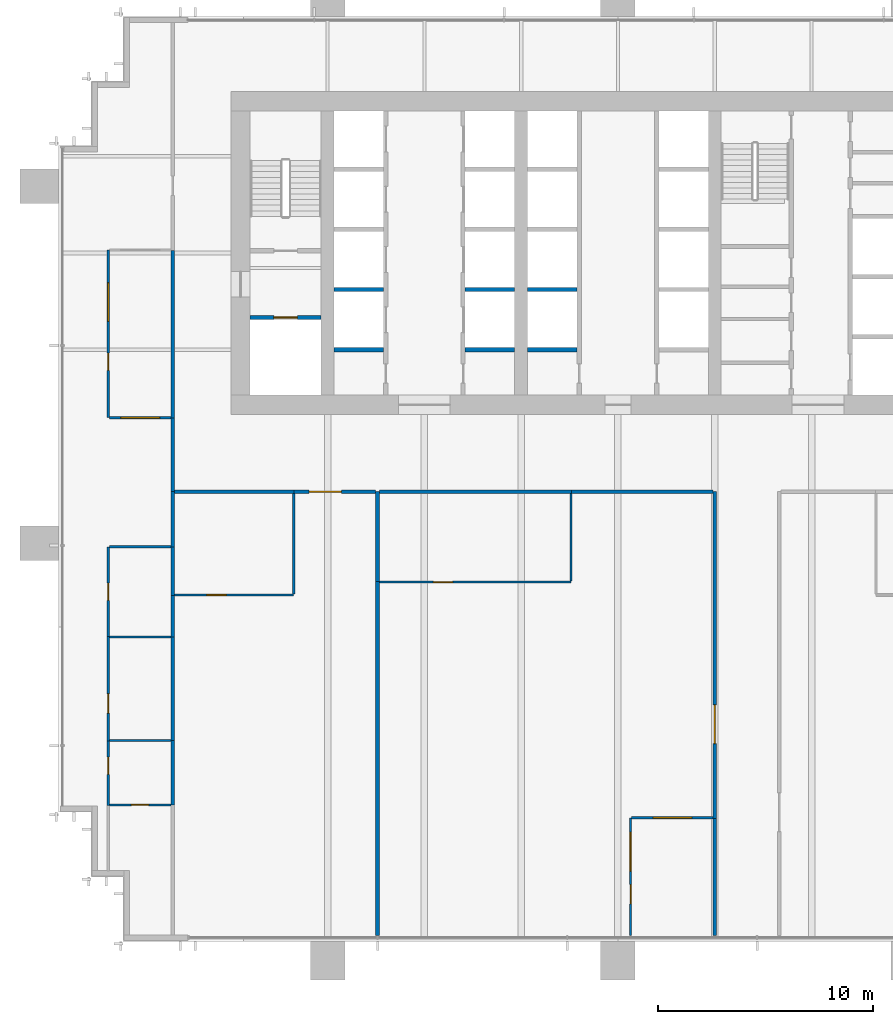
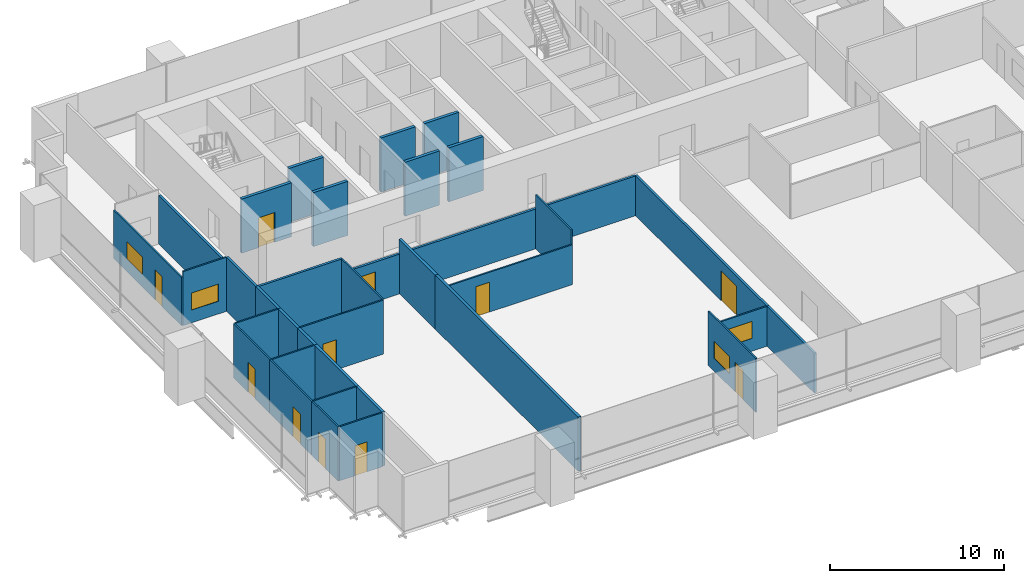
# One storey, part 12 of 17: 37 walls, 11 doors, 4 windows, 15 openings.
"""IFC4 building model written with IfcOpenShell, lengths in metres."""

from ifc_helpers import new_model, si_unit, direction, frame, frame_2d, origin, place, context, subcontext, project, spatial, rectangle, extrude, material, layer, layer_set, type_object, element, fill, save


model = new_model("IFC4")

# Units and contexts
model_context = context("Model", 3, precision=1e-05, world=origin(), true_north=direction((0.0, 1.0)))
body_context = subcontext(model_context, "Body", "Model", "MODEL_VIEW")
ifc_project = project(units=[si_unit("LENGTHUNIT", "METRE"), si_unit("AREAUNIT", "SQUARE_METRE"), si_unit("VOLUMEUNIT", "CUBIC_METRE"), si_unit("PLANEANGLEUNIT", "RADIAN"), si_unit("MASSUNIT", "GRAM", prefix="KILO")], contexts=[model_context])

# Site, building, storey
site_placement = place(None, origin())
site = spatial("IfcSite", under=ifc_project, at=site_placement, CompositionType="ELEMENT")
building_placement = place(site_placement, origin())
building = spatial("IfcBuilding", under=site, at=building_placement, Name="Rattan Terrace Tower", CompositionType="ELEMENT")
storey_placement = place(building_placement, frame((0.0, 0.0, 95.699951171875)))
storey = spatial("IfcBuildingStorey", under=building, at=storey_placement, Name="L21", CompositionType="ELEMENT", Elevation=95.699951171875)

# Wall, opening, door
ifc_material_1 = material(Name="Gypsum board partition")
ifc_layer_1 = layer(ifc_material_1, 0.199951171875)
ifc_layer_set_1 = layer_set([ifc_layer_1], Name="Core partition 200")
wall_type_1 = type_object("IfcWallType", Name="Core partition 200", PredefinedType="PARTITIONING", material=ifc_layer_set_1)
wall_1_placement = place(storey_placement, frame((-17.10009765625, -3.0, 0.0), z_axis=(0.0, 0.0, 1.0), x_axis=(1.0, 0.0, 0.0)))
wall_1 = element("IfcWall", 1, at=wall_1_placement, inside=storey, type_object=wall_type_1, Name="Fire-fighting lobby wall", PredefinedType="PARTITIONING", context=body_context, shape_type="SweptSolid", body=[
    extrude(rectangle(XDim=3.300048828125, YDim=0.199951171875, at=frame_2d((1.64990234375, 0.0))), origin(), (0.0, 0.0, 1.0), 3.800048828125),
])
opening_1_placement = place(wall_1_placement, frame((1.10009765625, 0.0, 0.0)))
opening_1 = element("IfcOpeningElement", 2, at=opening_1_placement, cuts=wall_1, Name="Opening L21-LD-FF1", PredefinedType="OPENING", context=body_context, shape_type="SweptSolid", body=[
    extrude(rectangle(XDim=1.10009765625, YDim=2.10009765625, at=frame_2d((0.550048828125, 1.050048828125))), frame((0.0, 0.110595703125, 0.0), z_axis=(0.0, -1.0, 0.0), x_axis=(1.0, 0.0, 0.0)), (0.0, 0.0, 1.0), 0.220947265625),
])
ifc_material_2 = material(Name="Brushed stainless landing door panel")
door_type_1 = type_object("IfcDoorType", Name="Core lift landing door 1100", OperationType="DOUBLE_DOOR_SLIDING", PredefinedType="DOOR", material=ifc_material_2)
door_1_placement = place(opening_1_placement, origin())
door_1 = element("IfcDoor", 3, at=door_1_placement, inside=storey, type_object=door_type_1, Name="Door L21-LD-FF1", OperationType="DOUBLE_DOOR_SLIDING", OverallHeight=2.10009765625, OverallWidth=1.10009765625, PredefinedType="DOOR", context=body_context, shape_type="SweptSolid", body=[
    extrude(rectangle(XDim=1.10009765625, YDim=2.10009765625, at=frame_2d((0.550048828125, 1.050048828125))), frame((0.0, 0.02490234375, 0.0), z_axis=(0.0, -1.0, 0.0), x_axis=(1.0, 0.0, 0.0)), (0.0, 0.0, 1.0), 0.050048828125),
])
fill(opening_1, door_1)

# Walls
ifc_material_3 = material(Name="Double steel stud acoustic partition, gypsum board, mineral wool, fire rated", Category="steel")
ifc_layer_2 = layer(ifc_material_3, 0.179931640625)
ifc_layer_set_2 = layer_set([ifc_layer_2], Name="Floors Acoustic Party Wall 180")
wall_type_2 = type_object("IfcWallType", Name="Floors Acoustic Party Wall 180", PredefinedType="PARTITIONING", material=ifc_layer_set_2)
wall_2_placement = place(storey_placement, frame((-20.699951171875, -11.080078125, 0.0), z_axis=(0.0, 0.0, 1.0), x_axis=(0.0, -1.0, 0.0)))
element("IfcWall", 4, at=wall_2_placement, inside=storey, type_object=wall_type_2, Name="pt-L21-026", PredefinedType="PARTITIONING", context=body_context, shape_type="SweptSolid", body=[
    extrude(rectangle(XDim=2.579833984375, YDim=0.179931640625, at=frame_2d((1.2900390625, 0.0))), origin(), (0.0, 0.0, 1.0), 3.800048828125),
])
wall_3_placement = place(storey_placement, frame((-20.699951171875, -22.659912109375, 0.0), z_axis=(0.0, 0.0, 1.0), x_axis=(0.0, -1.0, 0.0)))
element("IfcWall", 5, at=wall_3_placement, inside=storey, type_object=wall_type_2, Name="pt-L21-030", PredefinedType="PARTITIONING", context=body_context, shape_type="SweptSolid", body=[
    extrude(rectangle(XDim=3.0, YDim=0.179931640625, at=frame_2d((1.5, 0.0))), origin(), (0.0, 0.0, 1.0), 3.800048828125),
])
wall_4_placement = place(storey_placement, frame((-20.699951171875, -17.860107421875, 0.0), z_axis=(0.0, 0.0, 1.0), x_axis=(0.0, -1.0, 0.0)))
element("IfcWall", 6, at=wall_4_placement, inside=storey, type_object=wall_type_2, Name="pt-L21-032", PredefinedType="PARTITIONING", context=body_context, shape_type="SweptSolid", body=[
    extrude(rectangle(XDim=4.7998046875, YDim=0.179931640625, at=frame_2d((2.39990234375, 0.0))), origin(), (0.0, 0.0, 1.0), 3.800048828125),
])
wall_5_placement = place(storey_placement, frame((-20.699951171875, -15.919921875, 0.0), z_axis=(0.0, 0.0, 1.0), x_axis=(0.0, -1.0, 0.0)))
element("IfcWall", 7, at=wall_5_placement, inside=storey, type_object=wall_type_2, Name="pt-L21-033", PredefinedType="PARTITIONING", context=body_context, shape_type="SweptSolid", body=[
    extrude(rectangle(XDim=1.940185546875, YDim=0.179931640625, at=frame_2d((0.97021484375, 0.0))), origin(), (0.0, 0.0, 1.0), 3.800048828125),
])
wall_6_placement = place(storey_placement, frame((-20.699951171875, -13.659912109375, 0.0), z_axis=(0.0, 0.0, 1.0), x_axis=(0.0, -1.0, 0.0)))
element("IfcWall", 8, at=wall_6_placement, inside=storey, type_object=wall_type_2, Name="pt-L21-034", PredefinedType="PARTITIONING", context=body_context, shape_type="SweptSolid", body=[
    extrude(rectangle(XDim=2.260009765625, YDim=0.179931640625, at=frame_2d((1.1298828125, 0.0))), origin(), (0.0, 0.0, 1.0), 3.800048828125),
])
wall_7_placement = place(storey_placement, frame((-11.176025390625, -15.280029296875, 0.0), z_axis=(0.0, 0.0, 1.0), x_axis=(0.0, -1.0, 0.0)))
element("IfcWall", 9, at=wall_7_placement, inside=storey, type_object=wall_type_2, Name="pt-L21-059", PredefinedType="PARTITIONING", context=body_context, shape_type="SweptSolid", body=[
    extrude(rectangle(XDim=16.4599609375, YDim=0.179931640625, at=frame_2d((8.22998046875, 0.0))), origin(), (0.0, 0.0, 1.0), 3.800048828125),
])
wall_8_placement = place(storey_placement, frame((-11.176025390625, -11.10009765625, 0.0), z_axis=(0.0, 0.0, 1.0), x_axis=(0.0, -1.0, 0.0)))
element("IfcWall", 10, at=wall_8_placement, inside=storey, type_object=wall_type_2, Name="pt-L21-060", PredefinedType="PARTITIONING", context=body_context, shape_type="SweptSolid", body=[
    extrude(rectangle(XDim=4.179931640625, YDim=0.179931640625, at=frame_2d((2.08984375, 0.0))), origin(), (0.0, 0.0, 1.0), 3.800048828125),
])

# Wall, opening, door
ifc_material_4 = material(Name="Gypsum board partition on steel studs", Category="steel")
ifc_layer_3 = layer(ifc_material_4, 0.10009765625)
ifc_layer_set_3 = layer_set([ifc_layer_3], Name="Floors Partition 100")
wall_type_3 = type_object("IfcWallType", Name="Floors Partition 100", PredefinedType="PARTITIONING", material=ifc_layer_set_3)
wall_9_placement = place(storey_placement, frame((-23.699951171875, -22.679931640625, 0.0), z_axis=(0.0, 0.0, 1.0), x_axis=(0.0, -1.0, 0.0)))
wall_9 = element("IfcWall", 11, at=wall_9_placement, inside=storey, type_object=wall_type_3, Name="pt-L21-019", PredefinedType="PARTITIONING", context=body_context, shape_type="SweptSolid", body=[
    extrude(rectangle(XDim=3.0, YDim=0.10009765625, at=frame_2d((1.5, 0.0))), origin(), (0.0, 0.0, 1.0), 3.800048828125),
])
opening_2_placement = place(wall_9_placement, frame((0.760009765625, 0.0, 0.0)))
opening_2 = element("IfcOpeningElement", 12, at=opening_2_placement, cuts=wall_9, Name="Opening L21-D102", PredefinedType="OPENING", context=body_context, shape_type="SweptSolid", body=[
    extrude(rectangle(XDim=0.800048828125, YDim=2.10009765625, at=frame_2d((0.39990234375, 1.050048828125))), frame((0.0, 0.060546875, 0.0), z_axis=(0.0, -1.0, 0.0), x_axis=(1.0, 0.0, 0.0)), (0.0, 0.0, 1.0), 0.12109375),
])
ifc_material_5 = material(Name="Solid core timber door, painted", Category="wood")
door_type_2 = type_object("IfcDoorType", Name="Floors Store Door 800x2100", OperationType="NOTDEFINED", PredefinedType="DOOR", material=ifc_material_5)
door_2_placement = place(opening_2_placement, origin())
door_2 = element("IfcDoor", 13, at=door_2_placement, inside=storey, type_object=door_type_2, Name="d-L21-102", OperationType="SINGLE_SWING_LEFT", OverallHeight=2.10009765625, OverallWidth=0.800048828125, PredefinedType="DOOR", context=body_context, shape_type="SweptSolid", body=[
    extrude(rectangle(XDim=0.800048828125, YDim=2.10009765625, at=frame_2d((0.39990234375, 1.050048828125))), frame((0.0, 0.02490234375, 0.0), z_axis=(0.0, -1.0, 0.0), x_axis=(1.0, 0.0, 0.0)), (0.0, 0.0, 1.0), 0.050048828125),
])
fill(opening_2, door_2)

wall_10_placement = place(storey_placement, frame((-23.699951171875, -17.840087890625, 0.0), z_axis=(0.0, 0.0, 1.0), x_axis=(0.0, -1.0, 0.0)))
wall_10 = element("IfcWall", 14, at=wall_10_placement, inside=storey, type_object=wall_type_3, Name="pt-L21-020", PredefinedType="PARTITIONING", context=body_context, shape_type="SweptSolid", body=[
    extrude(rectangle(XDim=4.83984375, YDim=0.10009765625, at=frame_2d((2.419921875, 0.0))), origin(), (0.0, 0.0, 1.0), 3.800048828125),
])
opening_3_placement = place(wall_10_placement, frame((2.657958984375, 0.0, 0.0)))
opening_3 = element("IfcOpeningElement", 15, at=opening_3_placement, cuts=wall_10, Name="Opening L21-D103", PredefinedType="OPENING", context=body_context, shape_type="SweptSolid", body=[
    extrude(rectangle(XDim=0.89990234375, YDim=2.10009765625, at=frame_2d((0.449951171875, 1.050048828125))), frame((0.0, 0.060546875, 0.0), z_axis=(0.0, -1.0, 0.0), x_axis=(1.0, 0.0, 0.0)), (0.0, 0.0, 1.0), 0.12109375),
])
ifc_material_6 = material(Name="Solid core timber door, painted", Category="wood")
door_type_3 = type_object("IfcDoorType", Name="Floors Door 900x2100", OperationType="NOTDEFINED", PredefinedType="DOOR", material=ifc_material_6)
door_3_placement = place(opening_3_placement, origin())
door_3 = element("IfcDoor", 16, at=door_3_placement, inside=storey, type_object=door_type_3, Name="d-L21-103", OperationType="SINGLE_SWING_RIGHT", OverallHeight=2.10009765625, OverallWidth=0.89990234375, PredefinedType="DOOR", context=body_context, shape_type="SweptSolid", body=[
    extrude(rectangle(XDim=0.89990234375, YDim=2.10009765625, at=frame_2d((0.449951171875, 1.050048828125))), frame((0.0, 0.02490234375, 0.0), z_axis=(0.0, -1.0, 0.0), x_axis=(1.0, 0.0, 0.0)), (0.0, 0.0, 1.0), 0.050048828125),
])
fill(opening_3, door_3)

wall_11_placement = place(storey_placement, frame((-23.699951171875, -13.659912109375, 0.0), z_axis=(0.0, 0.0, 1.0), x_axis=(0.0, -1.0, 0.0)))
wall_11 = element("IfcWall", 17, at=wall_11_placement, inside=storey, type_object=wall_type_3, Name="pt-L21-021", PredefinedType="PARTITIONING", context=body_context, shape_type="SweptSolid", body=[
    extrude(rectangle(XDim=4.18017578125, YDim=0.10009765625, at=frame_2d((2.090087890625, 0.0))), origin(), (0.0, 0.0, 1.0), 3.800048828125),
])
opening_4_placement = place(wall_11_placement, frame((1.68994140625, 0.0, 0.0)))
opening_4 = element("IfcOpeningElement", 18, at=opening_4_placement, cuts=wall_11, Name="Opening L21-D104", PredefinedType="OPENING", context=body_context, shape_type="SweptSolid", body=[
    extrude(rectangle(XDim=0.800048828125, YDim=2.10009765625, at=frame_2d((0.39990234375, 1.050048828125))), frame((0.0, 0.060546875, 0.0), z_axis=(0.0, -1.0, 0.0), x_axis=(1.0, 0.0, 0.0)), (0.0, 0.0, 1.0), 0.12109375),
])
door_4_placement = place(opening_4_placement, origin())
door_4 = element("IfcDoor", 19, at=door_4_placement, inside=storey, type_object=door_type_2, Name="d-L21-104", OperationType="SINGLE_SWING_LEFT", OverallHeight=2.10009765625, OverallWidth=0.800048828125, PredefinedType="DOOR", context=body_context, shape_type="SweptSolid", body=[
    extrude(rectangle(XDim=0.800048828125, YDim=2.10009765625, at=frame_2d((0.39990234375, 1.050048828125))), frame((0.0, 0.02490234375, 0.0), z_axis=(0.0, -1.0, 0.0), x_axis=(1.0, 0.0, 0.0)), (0.0, 0.0, 1.0), 0.050048828125),
])
fill(opening_4, door_4)

# Wall
wall_12_placement = place(storey_placement, frame((-20.7900390625, -13.659912109375, 0.0), z_axis=(0.0, 0.0, 1.0), x_axis=(-1.0, 0.0, 0.0)))
element("IfcWall", 20, at=wall_12_placement, inside=storey, type_object=wall_type_3, Name="pt-L21-022", PredefinedType="PARTITIONING", context=body_context, shape_type="SweptSolid", body=[
    extrude(rectangle(XDim=2.85986328125, YDim=0.10009765625, at=frame_2d((1.429931640625, 0.0))), origin(), (0.0, 0.0, 1.0), 3.800048828125),
])

# Wall, openings, door, window
wall_13_placement = place(storey_placement, frame((-23.699951171875, 0.139892578125, 0.0), z_axis=(0.0, 0.0, 1.0), x_axis=(0.0, -1.0, 0.0)))
wall_13 = element("IfcWall", 21, at=wall_13_placement, inside=storey, type_object=wall_type_3, Name="pt-L21-023", PredefinedType="PARTITIONING", context=body_context, shape_type="SweptSolid", body=[
    extrude(rectangle(XDim=7.7998046875, YDim=0.10009765625, at=frame_2d((3.89990234375, 0.0))), origin(), (0.0, 0.0, 1.0), 3.400146484375),
])
opening_5_placement = place(wall_13_placement, frame((4.800048828125, 0.0, 0.0)))
opening_5 = element("IfcOpeningElement", 22, at=opening_5_placement, cuts=wall_13, Name="Opening L21-D105", PredefinedType="OPENING", context=body_context, shape_type="SweptSolid", body=[
    extrude(rectangle(XDim=0.800048828125, YDim=2.10009765625, at=frame_2d((0.39990234375, 1.050048828125))), frame((0.0, 0.060546875, 0.0), z_axis=(0.0, -1.0, 0.0), x_axis=(1.0, 0.0, 0.0)), (0.0, 0.0, 1.0), 0.12109375),
])
opening_6_placement = place(wall_13_placement, frame((1.52490234375, 0.0, 0.89990234375)))
opening_6 = element("IfcOpeningElement", 23, at=opening_6_placement, cuts=wall_13, Name="Opening L21-W100", PredefinedType="OPENING", context=body_context, shape_type="SweptSolid", body=[
    extrude(rectangle(XDim=1.800048828125, YDim=1.199951171875, at=frame_2d((0.89990234375, 0.60009765625))), frame((0.0, 0.060546875, 0.0), z_axis=(0.0, -1.0, 0.0), x_axis=(1.0, 0.0, 0.0)), (0.0, 0.0, 1.0), 0.12109375),
])
door_5_placement = place(opening_5_placement, origin())
door_5 = element("IfcDoor", 24, at=door_5_placement, inside=storey, type_object=door_type_2, Name="d-L21-105", OperationType="SINGLE_SWING_RIGHT", OverallHeight=2.10009765625, OverallWidth=0.800048828125, PredefinedType="DOOR", context=body_context, shape_type="SweptSolid", body=[
    extrude(rectangle(XDim=0.800048828125, YDim=2.10009765625, at=frame_2d((0.39990234375, 1.050048828125))), frame((0.0, 0.02490234375, 0.0), z_axis=(0.0, -1.0, 0.0), x_axis=(1.0, 0.0, 0.0)), (0.0, 0.0, 1.0), 0.050048828125),
])
fill(opening_5, door_5)
ifc_material_7 = material(Name="Glass, clear, fixed in aluminium frame", Category="aluminium")
window_type = type_object("IfcWindowType", Name="Interior Vision Window 1800x1200", PartitioningType="SINGLE_PANEL", PredefinedType="WINDOW", material=ifc_material_7)
window_1_placement = place(opening_6_placement, origin())
window_1 = element("IfcWindow", 25, at=window_1_placement, inside=storey, type_object=window_type, Name="w-L21-100", OverallHeight=1.199951171875, OverallWidth=1.800048828125, PartitioningType="SINGLE_PANEL", PredefinedType="WINDOW", context=body_context, shape_type="SweptSolid", body=[
    extrude(rectangle(XDim=1.800048828125, YDim=1.199951171875, at=frame_2d((0.89990234375, 0.60009765625))), frame((0.0, 0.030029296875, 0.0), z_axis=(0.0, -1.0, 0.0), x_axis=(1.0, 0.0, 0.0)), (0.0, 0.0, 1.0), 0.06005859375),
])
fill(opening_6, window_1)

# Wall, opening, window
wall_14_placement = place(storey_placement, frame((-23.64990234375, -7.659912109375, 0.0), z_axis=(0.0, 0.0, 1.0), x_axis=(1.0, 0.0, 0.0)))
wall_14 = element("IfcWall", 26, at=wall_14_placement, inside=storey, type_object=wall_type_3, Name="pt-L21-024", PredefinedType="PARTITIONING", context=body_context, shape_type="SweptSolid", body=[
    extrude(rectangle(XDim=2.875, YDim=0.10009765625, at=frame_2d((1.4375, 0.0))), origin(), (0.0, 0.0, 1.0), 3.800048828125),
])
opening_7_placement = place(wall_14_placement, frame((0.537109375, 0.0, 0.89990234375)))
opening_7 = element("IfcOpeningElement", 27, at=opening_7_placement, cuts=wall_14, Name="Opening L21-W101", PredefinedType="OPENING", context=body_context, shape_type="SweptSolid", body=[
    extrude(rectangle(XDim=1.800048828125, YDim=1.199951171875, at=frame_2d((0.89990234375, 0.60009765625))), frame((0.0, 0.060546875, 0.0), z_axis=(0.0, -1.0, 0.0), x_axis=(1.0, 0.0, 0.0)), (0.0, 0.0, 1.0), 0.12109375),
])
window_2_placement = place(opening_7_placement, origin())
window_2 = element("IfcWindow", 28, at=window_2_placement, inside=storey, type_object=window_type, Name="w-L21-101", OverallHeight=1.199951171875, OverallWidth=1.800048828125, PartitioningType="SINGLE_PANEL", PredefinedType="WINDOW", context=body_context, shape_type="SweptSolid", body=[
    extrude(rectangle(XDim=1.800048828125, YDim=1.199951171875, at=frame_2d((0.89990234375, 0.60009765625))), frame((0.0, 0.030029296875, 0.0), z_axis=(0.0, -1.0, 0.0), x_axis=(1.0, 0.0, 0.0)), (0.0, 0.0, 1.0), 0.06005859375),
])
fill(opening_7, window_2)

# Wall, opening, door
wall_15_placement = place(storey_placement, frame((-20.7900390625, -25.659912109375, 0.0), z_axis=(0.0, 0.0, 1.0), x_axis=(-1.0, 0.0, 0.0)))
wall_15 = element("IfcWall", 29, at=wall_15_placement, inside=storey, type_object=wall_type_3, Name="pt-L21-027", PredefinedType="PARTITIONING", context=body_context, shape_type="SweptSolid", body=[
    extrude(rectangle(XDim=2.85986328125, YDim=0.10009765625, at=frame_2d((1.429931640625, 0.0))), origin(), (0.0, 0.0, 1.0), 3.800048828125),
])
opening_8_placement = place(wall_15_placement, frame((1.030029296875, 0.0, 0.0)))
opening_8 = element("IfcOpeningElement", 30, at=opening_8_placement, cuts=wall_15, Name="Opening L21-D101", PredefinedType="OPENING", context=body_context, shape_type="SweptSolid", body=[
    extrude(rectangle(XDim=0.800048828125, YDim=2.10009765625, at=frame_2d((0.39990234375, 1.050048828125))), frame((0.0, 0.060546875, 0.0), z_axis=(0.0, -1.0, 0.0), x_axis=(1.0, 0.0, 0.0)), (0.0, 0.0, 1.0), 0.12109375),
])
door_6_placement = place(opening_8_placement, origin())
door_6 = element("IfcDoor", 31, at=door_6_placement, inside=storey, type_object=door_type_2, Name="d-L21-101", OperationType="SINGLE_SWING_RIGHT", OverallHeight=2.10009765625, OverallWidth=0.800048828125, PredefinedType="DOOR", context=body_context, shape_type="SweptSolid", body=[
    extrude(rectangle(XDim=0.800048828125, YDim=2.10009765625, at=frame_2d((0.39990234375, 1.050048828125))), frame((0.0, 0.02490234375, 0.0), z_axis=(0.0, -1.0, 0.0), x_axis=(1.0, 0.0, 0.0)), (0.0, 0.0, 1.0), 0.050048828125),
])
fill(opening_8, door_6)

# Walls
for number, where, z_axis, x_axis, name in (
    (32, (-23.64990234375, -22.659912109375, 0.0), (0.0, 0.0, 1.0), (1.0, 0.0, 0.0), "pt-L21-029"),
    (33, (-23.64990234375, -17.860107421875, 0.0), (0.0, 0.0, 1.0), (1.0, 0.0, 0.0), "pt-L21-031"),
):
    element("IfcWall", number, at=place(storey_placement, frame(where, z_axis=z_axis, x_axis=x_axis)), inside=storey, type_object=wall_type_3, Name=name, PredefinedType="PARTITIONING", context=body_context, shape_type="SweptSolid", body=[
        extrude(rectangle(XDim=2.85986328125, YDim=0.10009765625, at=frame_2d((1.429931640625, 0.0))), origin(), (0.0, 0.0, 1.0), 3.800048828125),
    ])

# Wall, opening, door
wall_16_placement = place(storey_placement, frame((-20.610107421875, -15.89990234375, 0.0), z_axis=(0.0, 0.0, 1.0), x_axis=(1.0, 0.0, 0.0)))
wall_16 = element("IfcWall", 34, at=wall_16_placement, inside=storey, type_object=wall_type_3, Name="pt-L21-057", PredefinedType="PARTITIONING", context=body_context, shape_type="SweptSolid", body=[
    extrude(rectangle(XDim=5.5341796875, YDim=0.10009765625, at=frame_2d((2.76708984375, 0.0))), origin(), (0.0, 0.0, 1.0), 3.800048828125),
])
opening_9_placement = place(wall_16_placement, frame((1.489990234375, 0.0, 0.0)))
opening_9 = element("IfcOpeningElement", 35, at=opening_9_placement, cuts=wall_16, Name="Opening L21-D116", PredefinedType="OPENING", context=body_context, shape_type="SweptSolid", body=[
    extrude(rectangle(XDim=0.89990234375, YDim=2.10009765625, at=frame_2d((0.449951171875, 1.050048828125))), frame((0.0, 0.060546875, 0.0), z_axis=(0.0, -1.0, 0.0), x_axis=(1.0, 0.0, 0.0)), (0.0, 0.0, 1.0), 0.12109375),
])
door_7_placement = place(opening_9_placement, origin())
door_7 = element("IfcDoor", 36, at=door_7_placement, inside=storey, type_object=door_type_3, Name="d-L21-116", OperationType="SINGLE_SWING_LEFT", OverallHeight=2.10009765625, OverallWidth=0.89990234375, PredefinedType="DOOR", context=body_context, shape_type="SweptSolid", body=[
    extrude(rectangle(XDim=0.89990234375, YDim=2.10009765625, at=frame_2d((0.449951171875, 1.050048828125))), frame((0.0, 0.02490234375, 0.0), z_axis=(0.0, -1.0, 0.0), x_axis=(1.0, 0.0, 0.0)), (0.0, 0.0, 1.0), 0.050048828125),
])
fill(opening_9, door_7)

# Wall
wall_17_placement = place(storey_placement, frame((-15.075927734375, -15.85009765625, 0.0), z_axis=(0.0, 0.0, 1.0), x_axis=(0.0, 1.0, 0.0)))
element("IfcWall", 37, at=wall_17_placement, inside=storey, type_object=wall_type_3, Name="pt-L21-058", PredefinedType="PARTITIONING", context=body_context, shape_type="SweptSolid", body=[
    extrude(rectangle(XDim=4.675048828125, YDim=0.10009765625, at=frame_2d((2.33740234375, 0.0))), origin(), (0.0, 0.0, 1.0), 3.800048828125),
])

# Wall, openings, door, window
wall_18_placement = place(storey_placement, frame((0.587890625, -26.260009765625, 0.0), z_axis=(0.0, 0.0, 1.0), x_axis=(0.0, -1.0, 0.0)))
wall_18 = element("IfcWall", 38, at=wall_18_placement, inside=storey, type_object=wall_type_3, Name="pt-L21-061", PredefinedType="PARTITIONING", context=body_context, shape_type="SweptSolid", body=[
    extrude(rectangle(XDim=5.47998046875, YDim=0.10009765625, at=frame_2d((2.739990234375, 0.0))), origin(), (0.0, 0.0, 1.0), 3.800048828125),
])
opening_10_placement = place(wall_18_placement, frame((3.10595703125, 0.0, 0.0)))
opening_10 = element("IfcOpeningElement", 39, at=opening_10_placement, cuts=wall_18, Name="Opening L21-D118", PredefinedType="OPENING", context=body_context, shape_type="SweptSolid", body=[
    extrude(rectangle(XDim=0.89990234375, YDim=2.10009765625, at=frame_2d((0.449951171875, 1.050048828125))), frame((0.0, 0.060546875, 0.0), z_axis=(0.0, -1.0, 0.0), x_axis=(1.0, 0.0, 0.0)), (0.0, 0.0, 1.0), 0.12109375),
])
opening_11_placement = place(wall_18_placement, frame((0.677978515625, 0.0, 0.89990234375)))
opening_11 = element("IfcOpeningElement", 40, at=opening_11_placement, cuts=wall_18, Name="Opening L21-W107", PredefinedType="OPENING", context=body_context, shape_type="SweptSolid", body=[
    extrude(rectangle(XDim=1.800048828125, YDim=1.199951171875, at=frame_2d((0.89990234375, 0.60009765625))), frame((0.0, 0.060546875, 0.0), z_axis=(0.0, -1.0, 0.0), x_axis=(1.0, 0.0, 0.0)), (0.0, 0.0, 1.0), 0.12109375),
])
door_8_placement = place(opening_10_placement, origin())
door_8 = element("IfcDoor", 41, at=door_8_placement, inside=storey, type_object=door_type_3, Name="d-L21-118", OperationType="SINGLE_SWING_RIGHT", OverallHeight=2.10009765625, OverallWidth=0.89990234375, PredefinedType="DOOR", context=body_context, shape_type="SweptSolid", body=[
    extrude(rectangle(XDim=0.89990234375, YDim=2.10009765625, at=frame_2d((0.449951171875, 1.050048828125))), frame((0.0, 0.02490234375, 0.0), z_axis=(0.0, -1.0, 0.0), x_axis=(1.0, 0.0, 0.0)), (0.0, 0.0, 1.0), 0.050048828125),
])
fill(opening_10, door_8)
window_3_placement = place(opening_11_placement, origin())
window_3 = element("IfcWindow", 42, at=window_3_placement, inside=storey, type_object=window_type, Name="w-L21-107", OverallHeight=1.199951171875, OverallWidth=1.800048828125, PartitioningType="SINGLE_PANEL", PredefinedType="WINDOW", context=body_context, shape_type="SweptSolid", body=[
    extrude(rectangle(XDim=1.800048828125, YDim=1.199951171875, at=frame_2d((0.89990234375, 0.60009765625))), frame((0.0, 0.030029296875, 0.0), z_axis=(0.0, -1.0, 0.0), x_axis=(1.0, 0.0, 0.0)), (0.0, 0.0, 1.0), 0.06005859375),
])
fill(opening_11, window_3)

# Wall, opening, window
wall_19_placement = place(storey_placement, frame((4.425048828125, -26.260009765625, 0.0), z_axis=(0.0, 0.0, 1.0), x_axis=(-1.0, 0.0, 0.0)))
wall_19 = element("IfcWall", 43, at=wall_19_placement, inside=storey, type_object=wall_type_3, Name="pt-L21-062", PredefinedType="PARTITIONING", context=body_context, shape_type="SweptSolid", body=[
    extrude(rectangle(XDim=3.787109375, YDim=0.10009765625, at=frame_2d((1.8935546875, 0.0))), origin(), (0.0, 0.0, 1.0), 2.800048828125),
])
opening_12_placement = place(wall_19_placement, frame((0.992919921875, 0.0, 0.89990234375)))
opening_12 = element("IfcOpeningElement", 44, at=opening_12_placement, cuts=wall_19, Name="Opening L21-W108", PredefinedType="OPENING", context=body_context, shape_type="SweptSolid", body=[
    extrude(rectangle(XDim=1.800048828125, YDim=1.199951171875, at=frame_2d((0.89990234375, 0.60009765625))), frame((0.0, 0.060546875, 0.0), z_axis=(0.0, -1.0, 0.0), x_axis=(1.0, 0.0, 0.0)), (0.0, 0.0, 1.0), 0.12109375),
])
window_4_placement = place(opening_12_placement, origin())
window_4 = element("IfcWindow", 45, at=window_4_placement, inside=storey, type_object=window_type, Name="w-L21-108", OverallHeight=1.199951171875, OverallWidth=1.800048828125, PartitioningType="SINGLE_PANEL", PredefinedType="WINDOW", context=body_context, shape_type="SweptSolid", body=[
    extrude(rectangle(XDim=1.800048828125, YDim=1.199951171875, at=frame_2d((0.89990234375, 0.60009765625))), frame((0.0, 0.030029296875, 0.0), z_axis=(0.0, -1.0, 0.0), x_axis=(1.0, 0.0, 0.0)), (0.0, 0.0, 1.0), 0.06005859375),
])
fill(opening_12, window_4)

# Wall, opening, door
wall_20_placement = place(storey_placement, frame((-11.0859375, -15.300048828125, 0.0), z_axis=(0.0, 0.0, 1.0), x_axis=(1.0, 0.0, 0.0)))
wall_20 = element("IfcWall", 46, at=wall_20_placement, inside=storey, type_object=wall_type_3, Name="pt-L21-063", PredefinedType="PARTITIONING", context=body_context, shape_type="SweptSolid", body=[
    extrude(rectangle(XDim=8.909912109375, YDim=0.10009765625, at=frame_2d((4.455078125, 0.0))), origin(), (0.0, 0.0, 1.0), 2.800048828125),
])
opening_13_placement = place(wall_20_placement, frame((2.5029296875, 0.0, 0.0)))
opening_13 = element("IfcOpeningElement", 47, at=opening_13_placement, cuts=wall_20, Name="Opening L21-D119", PredefinedType="OPENING", context=body_context, shape_type="SweptSolid", body=[
    extrude(rectangle(XDim=0.89990234375, YDim=2.10009765625, at=frame_2d((0.449951171875, 1.050048828125))), frame((0.0, 0.060546875, 0.0), z_axis=(0.0, -1.0, 0.0), x_axis=(1.0, 0.0, 0.0)), (0.0, 0.0, 1.0), 0.12109375),
])
door_9_placement = place(opening_13_placement, origin())
door_9 = element("IfcDoor", 48, at=door_9_placement, inside=storey, type_object=door_type_3, Name="d-L21-119", OperationType="SINGLE_SWING_LEFT", OverallHeight=2.10009765625, OverallWidth=0.89990234375, PredefinedType="DOOR", context=body_context, shape_type="SweptSolid", body=[
    extrude(rectangle(XDim=0.89990234375, YDim=2.10009765625, at=frame_2d((0.449951171875, 1.050048828125))), frame((0.0, 0.02490234375, 0.0), z_axis=(0.0, -1.0, 0.0), x_axis=(1.0, 0.0, 0.0)), (0.0, 0.0, 1.0), 0.050048828125),
])
fill(opening_13, door_9)

# Walls
wall_21_placement = place(storey_placement, frame((-2.176025390625, -15.25, 0.0), z_axis=(0.0, 0.0, 1.0), x_axis=(0.0, 1.0, 0.0)))
element("IfcWall", 49, at=wall_21_placement, inside=storey, type_object=wall_type_3, Name="pt-L21-064", PredefinedType="PARTITIONING", context=body_context, shape_type="SweptSolid", body=[
    extrude(rectangle(XDim=4.074951171875, YDim=0.10009765625, at=frame_2d((2.03759765625, 0.0))), origin(), (0.0, 0.0, 1.0), 3.800048828125),
])
ifc_material_8 = material(Name="Gypsum board partition on steel studs, fire rated", Category="steel")
ifc_layer_4 = layer(ifc_material_8, 0.14990234375)
ifc_layer_set_4 = layer_set([ifc_layer_4], Name="Floors Tenancy Wall 150")
wall_type_4 = type_object("IfcWallType", Name="Floors Tenancy Wall 150", PredefinedType="PARTITIONING", material=ifc_layer_set_4)
wall_22_placement = place(storey_placement, frame((-20.699951171875, -11.080078125, 0.0), z_axis=(0.0, 0.0, 1.0), x_axis=(0.0, 1.0, 0.0)))
element("IfcWall", 50, at=wall_22_placement, inside=storey, type_object=wall_type_4, Name="pt-L21-001", PredefinedType="PARTITIONING", context=body_context, shape_type="SweptSolid", body=[
    extrude(rectangle(XDim=3.400146484375, YDim=0.14990234375, at=frame_2d((1.7001953125, 0.0))), origin(), (0.0, 0.0, 1.0), 3.800048828125),
])
wall_23_placement = place(storey_placement, frame((-20.699951171875, -7.679931640625, 0.0), z_axis=(0.0, 0.0, 1.0), x_axis=(0.0, 1.0, 0.0)))
element("IfcWall", 51, at=wall_23_placement, inside=storey, type_object=wall_type_4, Name="pt-L21-003", PredefinedType="PARTITIONING", context=body_context, shape_type="SweptSolid", body=[
    extrude(rectangle(XDim=7.800048828125, YDim=0.14990234375, at=frame_2d((3.89990234375, 0.0))), origin(), (0.0, 0.0, 1.0), 3.400146484375),
])

# Wall, opening, door
wall_24_placement = place(storey_placement, frame((-11.26611328125, -11.10009765625, 0.0), z_axis=(0.0, 0.0, 1.0), x_axis=(-1.0, 0.0, 0.0)))
wall_24 = element("IfcWall", 52, at=wall_24_placement, inside=storey, type_object=wall_type_4, Name="pt-L21-009", PredefinedType="PARTITIONING", context=body_context, shape_type="SweptSolid", body=[
    extrude(rectangle(XDim=3.789794921875, YDim=0.14990234375, at=frame_2d((1.89501953125, 0.0))), origin(), (0.0, 0.0, 1.0), 2.800048828125),
])
opening_14_placement = place(wall_24_placement, frame((1.592041015625, 0.0, 0.0)))
opening_14 = element("IfcOpeningElement", 53, at=opening_14_placement, cuts=wall_24, Name="Opening L21-D115", PredefinedType="OPENING", context=body_context, shape_type="SweptSolid", body=[
    extrude(rectangle(XDim=1.5, YDim=2.10009765625, at=frame_2d((0.75, 1.050048828125))), frame((0.0, 0.08544921875, 0.0), z_axis=(0.0, -1.0, 0.0), x_axis=(1.0, 0.0, 0.0)), (0.0, 0.0, 1.0), 0.1708984375),
])
ifc_material_9 = material(Name="Steel fire door set", Category="steel")
door_type_4 = type_object("IfcDoorType", Name="Floors Unit Door Pair FD30S 1500x2100", OperationType="NOTDEFINED", PredefinedType="DOOR", material=ifc_material_9)
door_10_placement = place(opening_14_placement, origin())
door_10 = element("IfcDoor", 54, at=door_10_placement, inside=storey, type_object=door_type_4, Name="d-L21-115", OperationType="DOUBLE_DOOR_SINGLE_SWING", OverallHeight=2.10009765625, OverallWidth=1.5, PredefinedType="DOOR", context=body_context, shape_type="SweptSolid", body=[
    extrude(rectangle(XDim=1.5, YDim=2.10009765625, at=frame_2d((0.75, 1.050048828125))), frame((0.0, 0.02490234375, 0.0), z_axis=(0.0, -1.0, 0.0), x_axis=(1.0, 0.0, 0.0)), (0.0, 0.0, 1.0), 0.050048828125),
])
fill(opening_14, door_10)

# Walls
wall_25_placement = place(storey_placement, frame((-15.055908203125, -11.10009765625, 0.0), z_axis=(0.0, 0.0, 1.0), x_axis=(-1.0, 0.0, 0.0)))
element("IfcWall", 55, at=wall_25_placement, inside=storey, type_object=wall_type_4, Name="pt-L21-010", PredefinedType="PARTITIONING", context=body_context, shape_type="SweptSolid", body=[
    extrude(rectangle(XDim=5.55419921875, YDim=0.14990234375, at=frame_2d((2.777099609375, 0.0))), origin(), (0.0, 0.0, 1.0), 3.800048828125),
])
wall_26_placement = place(storey_placement, frame((4.425048828125, -11.10009765625, 0.0), z_axis=(0.0, 0.0, 1.0), x_axis=(-1.0, 0.0, 0.0)))
element("IfcWall", 56, at=wall_26_placement, inside=storey, type_object=wall_type_4, Name="pt-L21-011", PredefinedType="PARTITIONING", context=body_context, shape_type="SweptSolid", body=[
    extrude(rectangle(XDim=6.5810546875, YDim=0.14990234375, at=frame_2d((3.29052734375, 0.0))), origin(), (0.0, 0.0, 1.0), 2.800048828125),
])

# Wall, opening, door
wall_27_placement = place(storey_placement, frame((4.5, -26.280029296875, 0.0), z_axis=(0.0, 0.0, 1.0), x_axis=(0.0, 1.0, 0.0)))
wall_27 = element("IfcWall", 57, at=wall_27_placement, inside=storey, type_object=wall_type_4, Name="pt-L21-012", PredefinedType="PARTITIONING", context=body_context, shape_type="SweptSolid", body=[
    extrude(rectangle(XDim=15.179931640625, YDim=0.14990234375, at=frame_2d((7.58984375, 0.0))), origin(), (0.0, 0.0, 1.0), 2.800048828125),
])
opening_15_placement = place(wall_27_placement, frame((3.469970703125, 0.0, 0.0)))
opening_15 = element("IfcOpeningElement", 58, at=opening_15_placement, cuts=wall_27, Name="Opening L21-D117", PredefinedType="OPENING", context=body_context, shape_type="SweptSolid", body=[
    extrude(rectangle(XDim=1.800048828125, YDim=2.10009765625, at=frame_2d((0.89990234375, 1.050048828125))), frame((0.0, 0.08544921875, 0.0), z_axis=(0.0, -1.0, 0.0), x_axis=(1.0, 0.0, 0.0)), (0.0, 0.0, 1.0), 0.1708984375),
])
ifc_material_10 = material(Name="Steel fire door set", Category="steel")
door_type_5 = type_object("IfcDoorType", Name="Floors Fire Door Pair FD30S 1800x2100", OperationType="NOTDEFINED", PredefinedType="DOOR", material=ifc_material_10)
door_11_placement = place(opening_15_placement, origin())
door_11 = element("IfcDoor", 59, at=door_11_placement, inside=storey, type_object=door_type_5, Name="d-L21-117", OperationType="DOUBLE_DOOR_SINGLE_SWING", OverallHeight=2.10009765625, OverallWidth=1.800048828125, PredefinedType="DOOR", context=body_context, shape_type="SweptSolid", body=[
    extrude(rectangle(XDim=1.800048828125, YDim=2.10009765625, at=frame_2d((0.89990234375, 1.050048828125))), frame((0.0, 0.02490234375, 0.0), z_axis=(0.0, -1.0, 0.0), x_axis=(1.0, 0.0, 0.0)), (0.0, 0.0, 1.0), 0.050048828125),
])
fill(opening_15, door_11)

# Walls
wall_28_placement = place(storey_placement, frame((4.5, -31.739990234375, 0.0), z_axis=(0.0, 0.0, 1.0), x_axis=(0.0, 1.0, 0.0)))
element("IfcWall", 60, at=wall_28_placement, inside=storey, type_object=wall_type_4, Name="pt-L21-013", PredefinedType="PARTITIONING", context=body_context, shape_type="SweptSolid", body=[
    extrude(rectangle(XDim=5.4599609375, YDim=0.14990234375, at=frame_2d((2.72998046875, 0.0))), origin(), (0.0, 0.0, 1.0), 2.800048828125),
])
wall_29_placement = place(storey_placement, frame((-2.156005859375, -11.10009765625, 0.0), z_axis=(0.0, 0.0, 1.0), x_axis=(-1.0, 0.0, 0.0)))
element("IfcWall", 61, at=wall_29_placement, inside=storey, type_object=wall_type_4, Name="pt-L21-014", PredefinedType="PARTITIONING", context=body_context, shape_type="SweptSolid", body=[
    extrude(rectangle(XDim=8.929931640625, YDim=0.14990234375, at=frame_2d((4.46484375, 0.0))), origin(), (0.0, 0.0, 1.0), 2.800048828125),
])
ifc_material_11 = material(Name="Gypsum shaft wall system")
ifc_layer_5 = layer(ifc_material_11, 0.199951171875)
ifc_layer_set_5 = layer_set([ifc_layer_5], Name="Lift shaft wall 200")
wall_type_5 = type_object("IfcWallType", Name="Lift shaft wall 200", PredefinedType="PARTITIONING", material=ifc_layer_set_5)
for number, where, z_axis, x_axis, name in (
    (62, (-13.199951171875, -1.699951171875, 0.0), (0.0, 0.0, 1.0), (1.0, 0.0, 0.0), "Lift shaft wall"),
    (63, (-13.199951171875, -4.5, 0.0), (0.0, 0.0, 1.0), (1.0, 0.0, 0.0), "Lift shaft wall"),
    (64, (-7.10009765625, -1.699951171875, 0.0), (0.0, 0.0, 1.0), (1.0, 0.0, 0.0), "Lift shaft wall"),
    (65, (-7.10009765625, -4.5, 0.0), (0.0, 0.0, 1.0), (1.0, 0.0, 0.0), "Lift shaft wall"),
    (66, (-4.199951171875, -1.699951171875, 0.0), (0.0, 0.0, 1.0), (1.0, 0.0, 0.0), "Lift shaft wall"),
    (67, (-4.199951171875, -4.5, 0.0), (0.0, 0.0, 1.0), (1.0, 0.0, 0.0), "Lift shaft wall"),
):
    element("IfcWall", number, at=place(storey_placement, frame(where, z_axis=z_axis, x_axis=x_axis)), inside=storey, type_object=wall_type_5, Name=name, PredefinedType="PARTITIONING", context=body_context, shape_type="SweptSolid", body=[
        extrude(rectangle(XDim=2.300048828125, YDim=0.199951171875, at=frame_2d((1.14990234375, 0.0))), origin(), (0.0, 0.0, 1.0), 3.800048828125),
    ])

save(model, "model.ifc")
